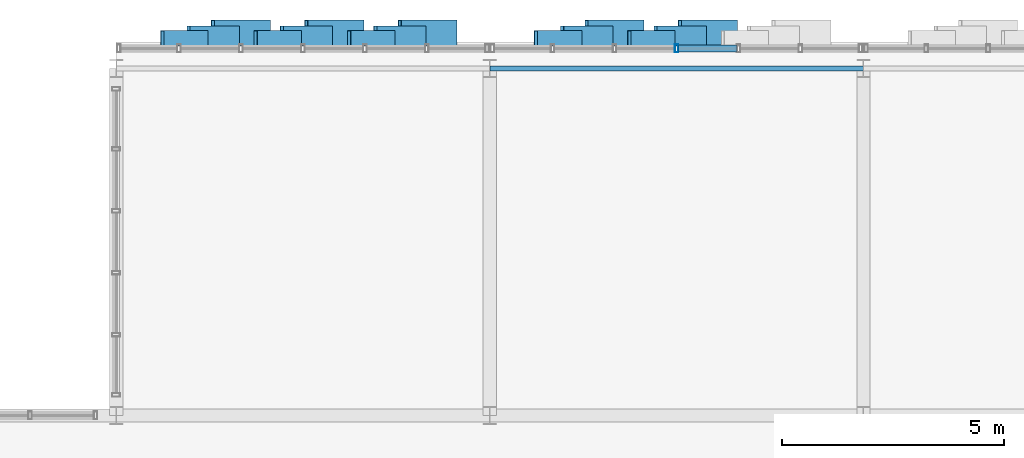
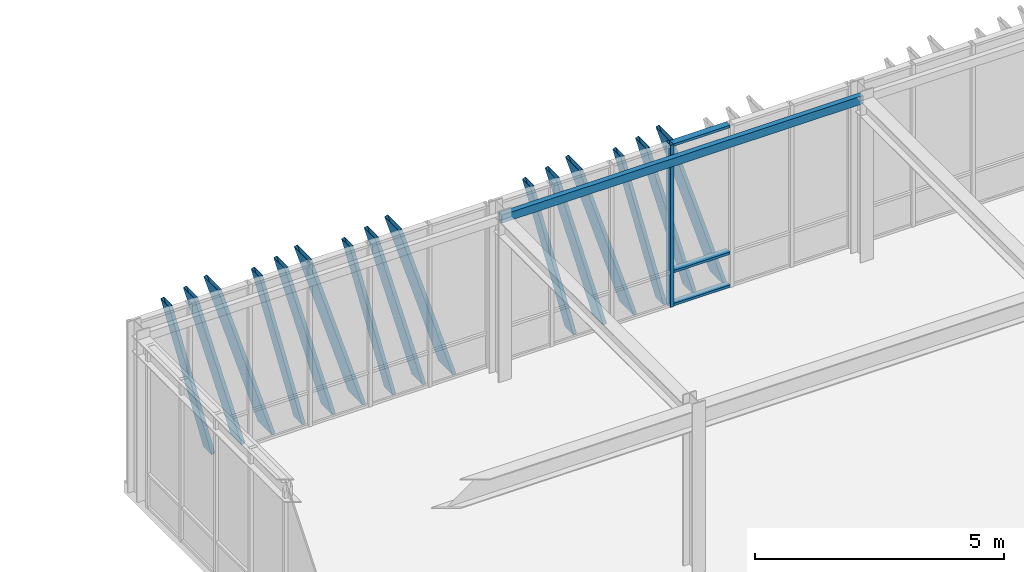
# One storey, part 50 of 123: 19 members, 1 beam, 2 elements without a shape of their own.
"""IFC4 building model written with IfcOpenShell, lengths in metres."""

from ifc_helpers import new_model, si_unit, direction, frame, origin, origin_2d, place, context, subcontext, project, spatial, hollow_rectangle, extrude, material, layer, layer_set, material_profile, profile_set, type_object, element, aggregate, save


model = new_model("IFC4")

# Units and contexts
model_context = context("Model", 3, precision=1e-05, world=origin(), true_north=direction((0.0, 1.0)))
body_context = subcontext(model_context, "Body", "Model", "MODEL_VIEW")
ifc_project = project(units=[si_unit("LENGTHUNIT", "METRE"), si_unit("AREAUNIT", "SQUARE_METRE"), si_unit("VOLUMEUNIT", "CUBIC_METRE"), si_unit("PLANEANGLEUNIT", "RADIAN"), si_unit("MASSUNIT", "GRAM", prefix="KILO")], contexts=[model_context])

# Site, building, storey
site_placement = place(None, origin())
site = spatial("IfcSite", under=ifc_project, at=site_placement, CompositionType="ELEMENT")
building_placement = place(site_placement, origin())
building = spatial("IfcBuilding", under=site, at=building_placement, Name="Zayran Congress Hotel", CompositionType="ELEMENT")
storey_placement = place(building_placement, frame((0.0, 0.0, 15.0)))
storey = spatial("IfcBuildingStorey", under=building, at=storey_placement, Name="L03", CompositionType="ELEMENT", Elevation=15.0)

# Beam
ifc_material_1 = material(Name="Steel S355", Category="steel")
ifc_material_profile_1 = material_profile(ifc_material_1, hollow_rectangle(XDim=0.1201171875, YDim=0.199951171875, WallThickness=0.008056640625, at=origin_2d()), Name="RHS 200x120x8")
ifc_profile_set_1 = profile_set([ifc_material_profile_1], Name="Steel S355")
beam_type = type_object("IfcBeamType", Name="TP-SP-02", PredefinedType="SPANDREL", material=ifc_profile_set_1)
beam_placement = place(storey_placement, frame((67.199951171875, 117.39990234375, 3.8798828125), z_axis=(1.0, 0.0, 0.0), x_axis=(0.0, 1.0, 0.0)))
element("IfcBeam", 1, at=beam_placement, inside=storey, type_object=beam_type, Name="BM-V1-L03-0846", PredefinedType="SPANDREL", context=body_context, shape_type="SweptSolid", body=[
    extrude(hollow_rectangle(XDim=0.1201171875, YDim=0.199951171875, WallThickness=0.008056640625, at=origin_2d()), origin(), (0.0, 0.0, 1.0), 8.400146484375),
])

# Curtain wall, members
ifc_material_2 = material(Name="Anodised aluminium and low-E insulated glass", Category="aluminium")
ifc_layer_1 = layer(ifc_material_2, 0.179931640625)
ifc_layer_set_1 = layer_set([ifc_layer_1], Name="Anodised aluminium and low-E insulated glass")
curtain_wall_type_1 = type_object("IfcCurtainWallType", Name="CW-V1N-L03-CW-22-8360-3980", PredefinedType="USERDEFINED", material=ifc_layer_set_1)
curtain_wall_1_placement = place(storey_placement, origin())
curtain_wall_1 = element("IfcCurtainWall", 2, at=curtain_wall_1_placement, inside=storey, type_object=curtain_wall_type_1, Name="CW-V1N-L03-7", ObjectType="CURTAIN WALL", PredefinedType="USERDEFINED")
ifc_material_3 = material(Name="Anodised aluminium framing", Category="aluminium")
ifc_material_profile_2 = material_profile(ifc_material_3, hollow_rectangle(XDim=0.080078125, YDim=0.179931640625, WallThickness=0.0048828125, at=origin_2d()), Name="RHS 180x80x5")
ifc_profile_set_2 = profile_set([ifc_material_profile_2], Name="Anodised aluminium framing")
member_type_1 = type_object("IfcMemberType", Name="TP-CWM-01", PredefinedType="MULLION", material=ifc_profile_set_2)
member_1_placement = place(storey_placement, frame((71.39990234375, 117.85009765625, 0.0), z_axis=(0.0, 0.0, 1.0), x_axis=(1.0, 0.0, 0.0)))
member_1 = element("IfcMember", 3, at=member_1_placement, type_object=member_type_1, Name="CW-V1N-L03-7-M03", PredefinedType="MULLION", context=body_context, shape_type="SweptSolid", body=[
    extrude(hollow_rectangle(XDim=0.080078125, YDim=0.179931640625, WallThickness=0.0048828125, at=origin_2d()), origin(), (0.0, 0.0, 1.0), 3.97998046875),
])
ifc_material_profile_3 = material_profile(ifc_material_3, hollow_rectangle(XDim=0.06005859375, YDim=0.14990234375, WallThickness=0.00390625, at=origin_2d()), Name="RHS 150x60x4")
ifc_profile_set_3 = profile_set([ifc_material_profile_3], Name="Anodised aluminium framing")
member_type_2 = type_object("IfcMemberType", Name="TP-CWT-01", PredefinedType="USERDEFINED", material=ifc_profile_set_3)
member_2_placement = place(storey_placement, frame((72.75341796875, 117.85009765625, 0.030029296875), z_axis=(-1.0, 0.0, 0.0), x_axis=(0.0, 0.0, 1.0)))
member_2 = element("IfcMember", 4, at=member_2_placement, type_object=member_type_2, Name="CW-V1N-L03-7-T02-0", ObjectType="TRANSOM", PredefinedType="USERDEFINED", context=body_context, shape_type="SweptSolid", body=[
    extrude(hollow_rectangle(XDim=0.06005859375, YDim=0.14990234375, WallThickness=0.00390625, at=origin_2d()), origin(), (0.0, 0.0, 1.0), 1.3134765625),
])
member_3_placement = place(storey_placement, frame((72.75341796875, 117.85009765625, 0.840087890625), z_axis=(-1.0, 0.0, 0.0), x_axis=(0.0, 0.0, 1.0)))
member_3 = element("IfcMember", 5, at=member_3_placement, type_object=member_type_2, Name="CW-V1N-L03-7-T02-1", ObjectType="TRANSOM", PredefinedType="USERDEFINED", context=body_context, shape_type="SweptSolid", body=[
    extrude(hollow_rectangle(XDim=0.06005859375, YDim=0.14990234375, WallThickness=0.00390625, at=origin_2d()), origin(), (0.0, 0.0, 1.0), 1.3134765625),
])
member_4_placement = place(storey_placement, frame((72.75341796875, 117.85009765625, 3.949951171875), z_axis=(-1.0, 0.0, 0.0), x_axis=(0.0, 0.0, 1.0)))
member_4 = element("IfcMember", 6, at=member_4_placement, type_object=member_type_2, Name="CW-V1N-L03-7-T02-2", ObjectType="TRANSOM", PredefinedType="USERDEFINED", context=body_context, shape_type="SweptSolid", body=[
    extrude(hollow_rectangle(XDim=0.06005859375, YDim=0.14990234375, WallThickness=0.00390625, at=origin_2d()), origin(), (0.0, 0.0, 1.0), 1.3134765625),
])

ifc_layer_2 = layer(ifc_material_2, 0.179931640625)
ifc_layer_set_2 = layer_set([ifc_layer_2], Name="Anodised aluminium and low-E insulated glass")
curtain_wall_type_2 = type_object("IfcCurtainWallType", Name="CW-V1N-L03-CW-21-8360-3980", PredefinedType="USERDEFINED", material=ifc_layer_set_2)
curtain_wall_2_placement = place(storey_placement, origin())
curtain_wall_2 = element("IfcCurtainWall", 7, at=curtain_wall_2_placement, inside=storey, type_object=curtain_wall_type_2, Name="CW-V1N-L03-6", ObjectType="CURTAIN WALL", PredefinedType="USERDEFINED")
ifc_material_4 = material(Name="Warm bronze anodised aluminium", Category="aluminium")
ifc_material_profile_4 = material_profile(ifc_material_4, hollow_rectangle(XDim=0.080078125, YDim=0.580078125, WallThickness=0.006103515625, at=origin_2d()), Name="RHS 580x80x6")
ifc_profile_set_4 = profile_set([ifc_material_profile_4], Name="Warm bronze anodised aluminium")
member_type_3 = type_object("IfcMemberType", Name="TP-RFN-01", PredefinedType="MULLION", material=ifc_profile_set_4)
member_5_placement = place(storey_placement, frame((66.429931640625, 118.199951171875, 0.0), z_axis=(-0.300705753938, 0.0, 0.953716965115), x_axis=(0.953716965115, 0.0, 0.300705753938)))
member_5 = element("IfcMember", 8, at=member_5_placement, type_object=member_type_3, Name="Slanting Reed Mullion CW-21-01", PredefinedType="MULLION", context=body_context, shape_type="SweptSolid", body=[
    extrude(hollow_rectangle(XDim=0.080078125, YDim=0.580078125, WallThickness=0.006103515625, at=origin_2d()), origin(), (0.0, 0.0, 1.0), 4.173095703125),
])
member_6_placement = place(storey_placement, frame((64.330078125, 118.199951171875, 0.0), z_axis=(-0.300705753938, 0.0, 0.953716965115), x_axis=(0.953716965115, 0.0, 0.300705753938)))
member_6 = element("IfcMember", 9, at=member_6_placement, type_object=member_type_3, Name="Slanting Reed Mullion CW-21-04", PredefinedType="MULLION", context=body_context, shape_type="SweptSolid", body=[
    extrude(hollow_rectangle(XDim=0.080078125, YDim=0.580078125, WallThickness=0.006103515625, at=origin_2d()), origin(), (0.0, 0.0, 1.0), 4.173095703125),
])
member_7_placement = place(storey_placement, frame((62.22998046875, 118.199951171875, 0.0), z_axis=(-0.300705753938, 0.0, 0.953716965115), x_axis=(0.953716965115, 0.0, 0.300705753938)))
member_7 = element("IfcMember", 10, at=member_7_placement, type_object=member_type_3, Name="Slanting Reed Mullion CW-21-07", PredefinedType="MULLION", context=body_context, shape_type="SweptSolid", body=[
    extrude(hollow_rectangle(XDim=0.080078125, YDim=0.580078125, WallThickness=0.006103515625, at=origin_2d()), origin(), (0.0, 0.0, 1.0), 4.173095703125),
])

# Member
member_8_placement = place(storey_placement, frame((72.72998046875, 118.199951171875, 0.0), z_axis=(-0.300705753938, 0.0, 0.953716965115), x_axis=(0.953716965115, 0.0, 0.300705753938)))
member_8 = element("IfcMember", 11, at=member_8_placement, type_object=member_type_3, Name="Slanting Reed Mullion CW-22-04", PredefinedType="MULLION", context=body_context, shape_type="SweptSolid", body=[
    extrude(hollow_rectangle(XDim=0.080078125, YDim=0.580078125, WallThickness=0.006103515625, at=origin_2d()), origin(), (0.0, 0.0, 1.0), 4.173095703125),
])

member_9_placement = place(storey_placement, frame((70.6298828125, 118.199951171875, 0.0), z_axis=(-0.300705753938, 0.0, 0.953716965115), x_axis=(0.953716965115, 0.0, 0.300705753938)))
member_9 = element("IfcMember", 12, at=member_9_placement, type_object=member_type_3, Name="Slanting Reed Mullion CW-22-07", PredefinedType="MULLION", context=body_context, shape_type="SweptSolid", body=[
    extrude(hollow_rectangle(XDim=0.080078125, YDim=0.580078125, WallThickness=0.006103515625, at=origin_2d()), origin(), (0.0, 0.0, 1.0), 4.173095703125),
])

ifc_material_profile_5 = material_profile(ifc_material_4, hollow_rectangle(XDim=0.080078125, YDim=0.449951171875, WallThickness=0.006103515625, at=origin_2d()), Name="RHS 450x80x6")
ifc_profile_set_5 = profile_set([ifc_material_profile_5], Name="Warm bronze anodised aluminium")
member_type_4 = type_object("IfcMemberType", Name="TP-RFN-02", PredefinedType="MULLION", material=ifc_profile_set_5)
member_10_placement = place(storey_placement, frame((65.72998046875, 118.135009765625, 0.0), z_axis=(-0.267241410526, 0.0, 0.963629611677), x_axis=(0.963629611677, 0.0, 0.267241410526)))
member_10 = element("IfcMember", 13, at=member_10_placement, type_object=member_type_4, Name="Slanting Reed Mullion CW-21-02", PredefinedType="MULLION", context=body_context, shape_type="SweptSolid", body=[
    extrude(hollow_rectangle(XDim=0.080078125, YDim=0.449951171875, WallThickness=0.006103515625, at=origin_2d()), origin(), (0.0, 0.0, 1.0), 4.130126953125),
])

member_11_placement = place(storey_placement, frame((63.6298828125, 118.135009765625, 0.0), z_axis=(-0.267241410526, 0.0, 0.963629611677), x_axis=(0.963629611677, 0.0, 0.267241410526)))
member_11 = element("IfcMember", 14, at=member_11_placement, type_object=member_type_4, Name="Slanting Reed Mullion CW-21-05", PredefinedType="MULLION", context=body_context, shape_type="SweptSolid", body=[
    extrude(hollow_rectangle(XDim=0.080078125, YDim=0.449951171875, WallThickness=0.006103515625, at=origin_2d()), origin(), (0.0, 0.0, 1.0), 4.130126953125),
])

member_12_placement = place(storey_placement, frame((61.530029296875, 118.135009765625, 0.0), z_axis=(-0.267241410526, 0.0, 0.963629611677), x_axis=(0.963629611677, 0.0, 0.267241410526)))
member_12 = element("IfcMember", 15, at=member_12_placement, type_object=member_type_4, Name="Slanting Reed Mullion CW-21-08", PredefinedType="MULLION", context=body_context, shape_type="SweptSolid", body=[
    extrude(hollow_rectangle(XDim=0.080078125, YDim=0.449951171875, WallThickness=0.006103515625, at=origin_2d()), origin(), (0.0, 0.0, 1.0), 4.130126953125),
])

member_13_placement = place(storey_placement, frame((72.030029296875, 118.135009765625, 0.0), z_axis=(-0.267241410526, 0.0, 0.963629611677), x_axis=(0.963629611677, 0.0, 0.267241410526)))
member_13 = element("IfcMember", 16, at=member_13_placement, type_object=member_type_4, Name="Slanting Reed Mullion CW-22-05", PredefinedType="MULLION", context=body_context, shape_type="SweptSolid", body=[
    extrude(hollow_rectangle(XDim=0.080078125, YDim=0.449951171875, WallThickness=0.006103515625, at=origin_2d()), origin(), (0.0, 0.0, 1.0), 4.130126953125),
])

member_14_placement = place(storey_placement, frame((69.929931640625, 118.135009765625, 0.0), z_axis=(-0.267241410526, 0.0, 0.963629611677), x_axis=(0.963629611677, 0.0, 0.267241410526)))
member_14 = element("IfcMember", 17, at=member_14_placement, type_object=member_type_4, Name="Slanting Reed Mullion CW-22-08", PredefinedType="MULLION", context=body_context, shape_type="SweptSolid", body=[
    extrude(hollow_rectangle(XDim=0.080078125, YDim=0.449951171875, WallThickness=0.006103515625, at=origin_2d()), origin(), (0.0, 0.0, 1.0), 4.130126953125),
])

ifc_material_profile_6 = material_profile(ifc_material_4, hollow_rectangle(XDim=0.080078125, YDim=0.340087890625, WallThickness=0.006103515625, at=origin_2d()), Name="RHS 340x80x6")
ifc_profile_set_6 = profile_set([ifc_material_profile_6], Name="Warm bronze anodised aluminium")
member_type_5 = type_object("IfcMemberType", Name="TP-RFN-03", PredefinedType="MULLION", material=ifc_profile_set_6)
member_15_placement = place(storey_placement, frame((65.030029296875, 118.080078125, 0.0), z_axis=(-0.241947386249, 0.0, 0.970289370388), x_axis=(0.970289370388, 0.0, 0.241947386249)))
member_15 = element("IfcMember", 18, at=member_15_placement, type_object=member_type_5, Name="Slanting Reed Mullion CW-21-03", PredefinedType="MULLION", context=body_context, shape_type="SweptSolid", body=[
    extrude(hollow_rectangle(XDim=0.080078125, YDim=0.340087890625, WallThickness=0.006103515625, at=origin_2d()), origin(), (0.0, 0.0, 1.0), 4.101806640625),
])

member_16_placement = place(storey_placement, frame((62.929931640625, 118.080078125, 0.0), z_axis=(-0.24189134958, 0.0, 0.970303341743), x_axis=(0.970303341743, 0.0, 0.24189134958)))
member_16 = element("IfcMember", 19, at=member_16_placement, type_object=member_type_5, Name="Slanting Reed Mullion CW-21-06", PredefinedType="MULLION", context=body_context, shape_type="SweptSolid", body=[
    extrude(hollow_rectangle(XDim=0.080078125, YDim=0.340087890625, WallThickness=0.006103515625, at=origin_2d()), origin(), (0.0, 0.0, 1.0), 4.101806640625),
])

member_17_placement = place(storey_placement, frame((60.830078125, 118.080078125, 0.0), z_axis=(-0.241947386249, 0.0, 0.970289370388), x_axis=(0.970289370388, 0.0, 0.241947386249)))
member_17 = element("IfcMember", 20, at=member_17_placement, type_object=member_type_5, Name="Slanting Reed Mullion CW-21-09", PredefinedType="MULLION", context=body_context, shape_type="SweptSolid", body=[
    extrude(hollow_rectangle(XDim=0.080078125, YDim=0.340087890625, WallThickness=0.006103515625, at=origin_2d()), origin(), (0.0, 0.0, 1.0), 4.101806640625),
])

aggregate(curtain_wall_2, [member_5, member_10, member_15, member_6, member_11, member_16, member_7, member_12, member_17])

member_18_placement = place(storey_placement, frame((71.330078125, 118.080078125, 0.0), z_axis=(-0.241947386249, 0.0, 0.970289370388), x_axis=(0.970289370388, 0.0, 0.241947386249)))
member_18 = element("IfcMember", 21, at=member_18_placement, type_object=member_type_5, Name="Slanting Reed Mullion CW-22-06", PredefinedType="MULLION", context=body_context, shape_type="SweptSolid", body=[
    extrude(hollow_rectangle(XDim=0.080078125, YDim=0.340087890625, WallThickness=0.006103515625, at=origin_2d()), origin(), (0.0, 0.0, 1.0), 4.101806640625),
])

member_19_placement = place(storey_placement, frame((69.22998046875, 118.080078125, 0.0), z_axis=(-0.24189134958, 0.0, 0.970303341743), x_axis=(0.970303341743, 0.0, 0.24189134958)))
member_19 = element("IfcMember", 22, at=member_19_placement, type_object=member_type_5, Name="Slanting Reed Mullion CW-22-09", PredefinedType="MULLION", context=body_context, shape_type="SweptSolid", body=[
    extrude(hollow_rectangle(XDim=0.080078125, YDim=0.340087890625, WallThickness=0.006103515625, at=origin_2d()), origin(), (0.0, 0.0, 1.0), 4.101806640625),
])

aggregate(curtain_wall_1, [member_1, member_2, member_3, member_4, member_8, member_13, member_18, member_9, member_14, member_19])

save(model, "model.ifc")
